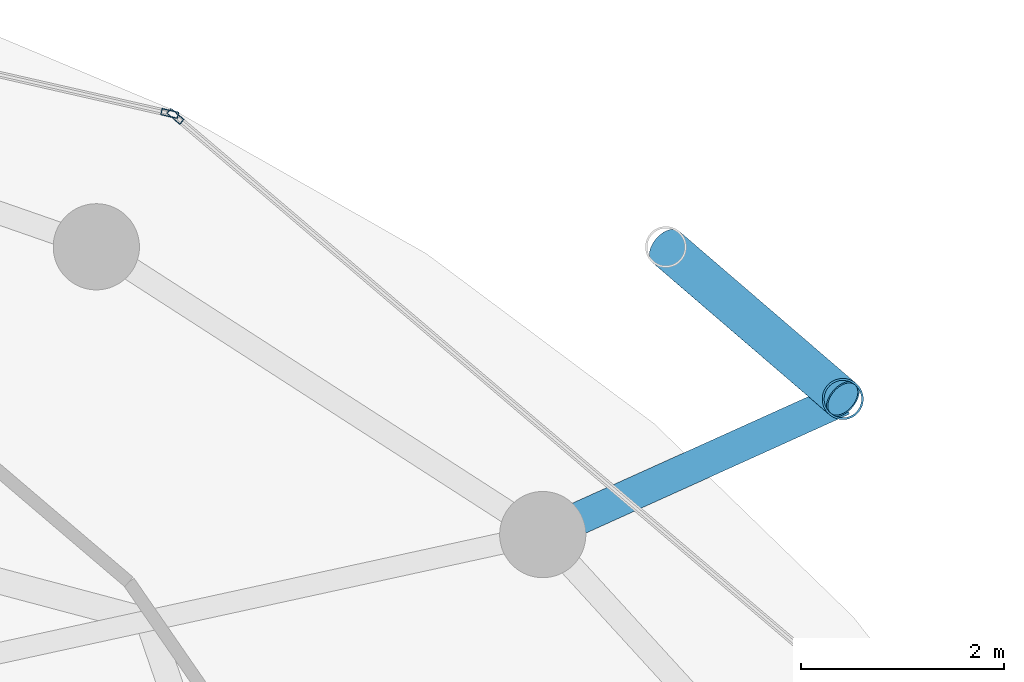
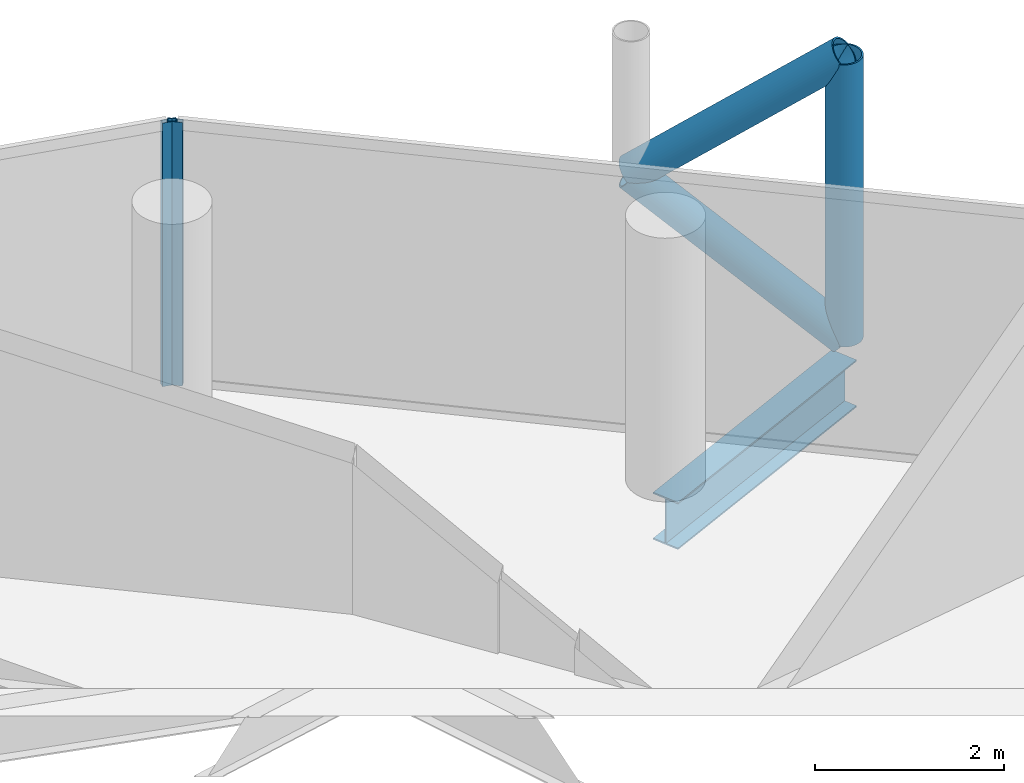
# One storey, part 21 of 27: 5 members, 1 beam, 2 elements without a shape of their own.
"""IFC4 building model written with IfcOpenShell, lengths in metres."""

from ifc_helpers import new_model, si_unit, direction, frame, origin, origin_2d, place, context, subcontext, project, spatial, hollow_rectangle, hollow_circle, i_section, extrude, material, layer, layer_set, material_profile, profile_set, type_object, element, aggregate, save


model = new_model("IFC4")

# Units and contexts
model_context = context("Model", 3, precision=1e-05, world=origin(), true_north=direction((0.0, 1.0)))
body_context = subcontext(model_context, "Body", "Model", "MODEL_VIEW")
ifc_project = project(units=[si_unit("LENGTHUNIT", "METRE"), si_unit("AREAUNIT", "SQUARE_METRE"), si_unit("VOLUMEUNIT", "CUBIC_METRE"), si_unit("PLANEANGLEUNIT", "RADIAN"), si_unit("MASSUNIT", "GRAM", prefix="KILO")], contexts=[model_context])

# Site, building, storey
site_placement = place(None, origin())
site = spatial("IfcSite", under=ifc_project, at=site_placement, CompositionType="ELEMENT")
building_placement = place(site_placement, origin())
building = spatial("IfcBuilding", under=site, at=building_placement, Name="Nuhasar Tower", CompositionType="ELEMENT")
storey_placement = place(building_placement, frame((0.0, 0.0, 237.35009765625)))
storey = spatial("IfcBuildingStorey", under=building, at=storey_placement, Name="L58", CompositionType="ELEMENT", Elevation=237.35009765625)

# Beam
ifc_material_1 = material(Name="Steel S355", Category="steel")
ifc_material_profile_1 = material_profile(ifc_material_1, i_section(OverallWidth=0.323974609375, OverallDepth=0.611083984375, WebThickness=0.0126953125, FlangeThickness=0.01904296875, at=origin_2d()), Name="W24X104")
ifc_profile_set_1 = profile_set([ifc_material_profile_1], Name="Steel S355")
beam_type = type_object("IfcBeamType", Name="BM-TIE-W24X104", PredefinedType="BEAM", material=ifc_profile_set_1)
beam_placement = place(storey_placement, frame((54.02587890625, 39.422119140625, -0.545166015625), z_axis=(0.911363318082, 0.411602845538, 0.0), x_axis=(-0.411602845538, 0.911363318082, 0.0)))
element("IfcBeam", 1, at=beam_placement, inside=storey, type_object=beam_type, Name="L58 Exoskeleton Node Tie Beam 02", PredefinedType="BEAM", context=body_context, shape_type="SweptSolid", body=[
    extrude(i_section(OverallWidth=0.323974609375, OverallDepth=0.611083984375, WebThickness=0.0126953125, FlangeThickness=0.01904296875, at=origin_2d()), origin(), (0.0, 0.0, 1.0), 3.24560546875),
])

# Curtain wall, member
ifc_material_2 = material(Name="Aluminium 6063-T6", Category="aluminium")
ifc_layer = layer(ifc_material_2, 0.18994140625)
ifc_layer_set = layer_set([ifc_layer], Name="Aluminium 6063-T6")
curtain_wall_type = type_object("IfcCurtainWallType", Name="CW-Z3-RES", PredefinedType="NOTDEFINED", material=ifc_layer_set)
curtain_wall_1_placement = place(storey_placement, origin())
curtain_wall_1 = element("IfcCurtainWall", 2, at=curtain_wall_1_placement, inside=storey, type_object=curtain_wall_type, Name="L58 Unitised Curtain Wall 02", PredefinedType="NOTDEFINED")
ifc_material_profile_2 = material_profile(ifc_material_2, hollow_rectangle(XDim=0.06494140625, YDim=0.169921875, WallThickness=0.0048828125, at=origin_2d()), Name="CWM-4")
ifc_profile_set_2 = profile_set([ifc_material_profile_2], Name="Aluminium 6063-T6")
member_type_1 = type_object("IfcMemberType", Name="CW-MUL-S4", PredefinedType="MULLION", material=ifc_profile_set_2)
member_1_placement = place(storey_placement, frame((50.40478515625, 43.544921875, 0.0), z_axis=(0.0, 0.0, 1.0), x_axis=(-0.64789521578, -0.761729472562, 0.0)))
member_1 = element("IfcMember", 3, at=member_1_placement, type_object=member_type_1, Name="CW-Z3 mullion 2", PredefinedType="MULLION", context=body_context, shape_type="SweptSolid", body=[
    extrude(hollow_rectangle(XDim=0.06494140625, YDim=0.169921875, WallThickness=0.0048828125, at=origin_2d()), origin(), (0.0, 0.0, 1.0), 3.409912109375),
])
aggregate(curtain_wall_1, [member_1])

curtain_wall_2_placement = place(storey_placement, origin())
curtain_wall_2 = element("IfcCurtainWall", 4, at=curtain_wall_2_placement, inside=storey, type_object=curtain_wall_type, Name="L58 Unitised Curtain Wall 03", PredefinedType="NOTDEFINED")
member_2_placement = place(storey_placement, frame((50.348388671875, 43.5732421875, 0.0), z_axis=(0.0, 0.0, 1.0), x_axis=(-0.222243176313, -0.974991266926, 0.0)))
member_2 = element("IfcMember", 5, at=member_2_placement, type_object=member_type_1, Name="CW-Z3 mullion 1", PredefinedType="MULLION", context=body_context, shape_type="SweptSolid", body=[
    extrude(hollow_rectangle(XDim=0.06494140625, YDim=0.169921875, WallThickness=0.0048828125, at=origin_2d()), origin(), (0.0, 0.0, 1.0), 3.409912109375),
])
aggregate(curtain_wall_2, [member_2])

# Members
ifc_material_3 = material(Name="Steel S460", Category="steel")
ifc_material_profile_3 = material_profile(ifc_material_3, hollow_circle(Radius=0.203125, WallThickness=0.01904296875, at=origin_2d()), Name="HSS406.4X19.1")
ifc_profile_set_3 = profile_set([ifc_material_profile_3], Name="Steel S460")
member_type_2 = type_object("IfcMemberType", Name="EXO-BRONZE-406", PredefinedType="BRACE", material=ifc_profile_set_3)
member_3_placement = place(storey_placement, frame((56.98388671875, 40.758056640625, 0.0), z_axis=(0.0, 0.0, 1.0), x_axis=(1.0, 0.0, 0.0)))
element("IfcMember", 6, at=member_3_placement, inside=storey, type_object=member_type_2, Name="L58 Exoskeleton Chord Column EC-02A", PredefinedType="BRACE", context=body_context, shape_type="SweptSolid", body=[
    extrude(hollow_circle(Radius=0.203125, WallThickness=0.01904296875, at=origin_2d()), origin(), (0.0, 0.0, 1.0), 3.64990234375),
])
for number, where, z_axis, x_axis, name in (
    (7, (56.98388671875, 40.758056640625, 0.0), (-0.594018535389, 0.510608120858, 0.621627964725), (-0.65185738425, -0.758341579104, 0.0), "L58 Bronze Diagrid Brace W1-02"),
    (8, (55.239990234375, 42.257080078125, 1.824951171875), (0.594018535389, -0.510608120858, 0.621627964725), (0.65185738425, 0.758341579104, 0.0), "L58 Bronze Diagrid Brace W2-02"),
):
    element("IfcMember", number, at=place(storey_placement, frame(where, z_axis=z_axis, x_axis=x_axis)), inside=storey, type_object=member_type_2, Name=name, PredefinedType="BRACE", context=body_context, shape_type="SweptSolid", body=[
        extrude(hollow_circle(Radius=0.203125, WallThickness=0.01904296875, at=origin_2d()), origin(), (0.0, 0.0, 1.0), 2.935791015625),
    ])

save(model, "model.ifc")
